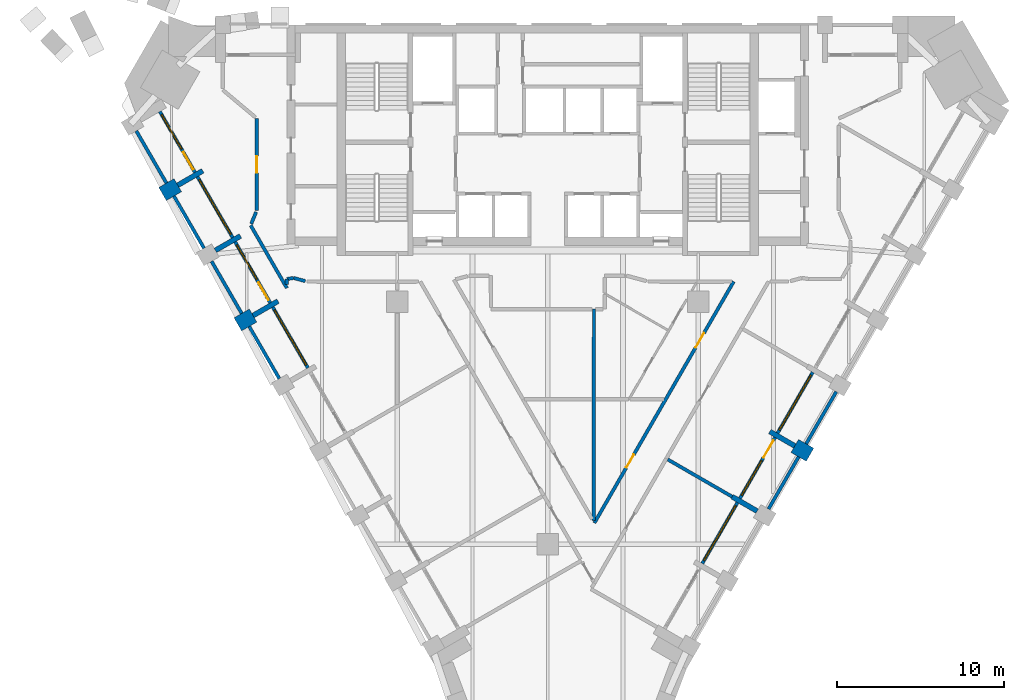
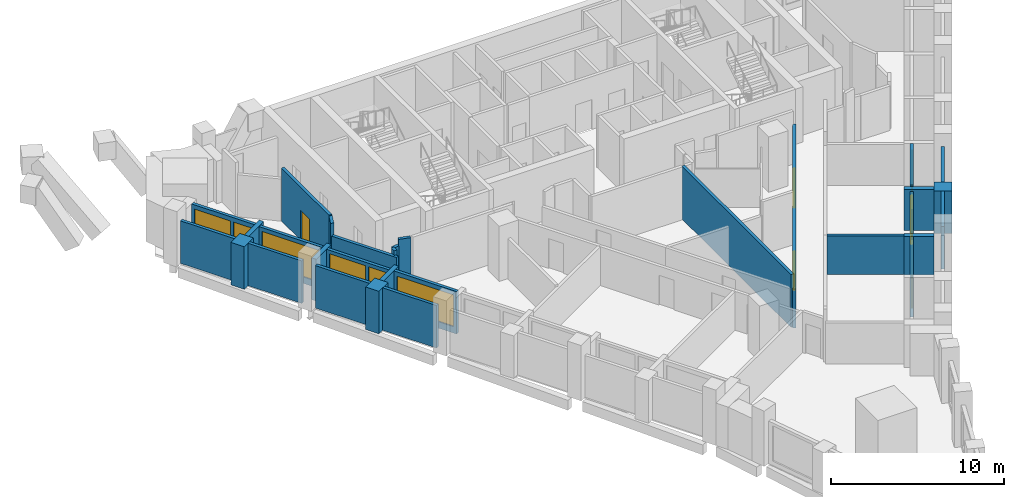
# One storey, part 4 of 10: 30 walls, 7 windows, 6 doors, 13 openings.
"""IFC4 building model written with IfcOpenShell, lengths in metres."""

from ifc_helpers import new_model, si_unit, direction, frame, frame_2d, origin, place, context, subcontext, project, spatial, rectangle, extrude, material, layer, layer_set, type_object, element, fill, save


model = new_model("IFC4")

# Units and contexts
model_context = context("Model", 3, precision=1e-05, world=origin(), true_north=direction((0.0, 1.0)))
body_context = subcontext(model_context, "Body", "Model", "MODEL_VIEW")
ifc_project = project(units=[si_unit("LENGTHUNIT", "METRE"), si_unit("AREAUNIT", "SQUARE_METRE"), si_unit("VOLUMEUNIT", "CUBIC_METRE"), si_unit("PLANEANGLEUNIT", "RADIAN"), si_unit("MASSUNIT", "GRAM", prefix="KILO")], contexts=[model_context])

# Site, building, storey
site_placement = place(None, origin())
site = spatial("IfcSite", under=ifc_project, at=site_placement, CompositionType="ELEMENT")
building_placement = place(site_placement, origin())
building = spatial("IfcBuilding", under=site, at=building_placement, Name="Calabash Gate Tower", CompositionType="ELEMENT")
storey_placement = place(building_placement, frame((0.0, 0.0, 187.5)))
storey = spatial("IfcBuildingStorey", under=building, at=storey_placement, Name="L44", CompositionType="ELEMENT", Elevation=187.5)

# Walls
ifc_material_1 = material(Name="Terracotta brick masonry, exposed face", Category="masonry")
ifc_layer_1 = layer(ifc_material_1, 1.050048828125)
ifc_layer_set_1 = layer_set([ifc_layer_1], Name="Brick end wall 1050")
wall_type_1 = type_object("IfcWallType", Name="Brick end wall 1050", PredefinedType="SOLIDWALL", material=ifc_layer_set_1)
for number, where, z_axis, x_axis, name in (
    (1, (-23.03271484375, 8.93505859375, 0.0), (0.0, 0.0, 1.0), (0.866088799389, 0.499890179513, 0.0), "Brick pier S12 SW0.1"),
    (2, (-17.623291015625, 1.665771484375, 0.0), (0.0, 0.0, 1.0), (-0.866088799389, -0.499890179513, 0.0), "Brick pier S12 SW0.3"),
):
    element("IfcWall", number, at=place(storey_placement, frame(where, z_axis=z_axis, x_axis=x_axis)), inside=storey, type_object=wall_type_1, Name=name, PredefinedType="SOLIDWALL", context=body_context, shape_type="SweptSolid", body=[
        extrude(rectangle(XDim=1.050048828125, YDim=0.89990234375, at=frame_2d((0.52490234375, 0.0))), origin(), (0.0, 0.0, 1.0), 3.0),
    ])
wall_1_placement = place(storey_placement, frame((15.67626953125, -6.6533203125, 0.0), z_axis=(0.0, 0.0, 1.0), x_axis=(-0.866030680601, 0.499990860175, 0.0)))
element("IfcWall", 3, at=wall_1_placement, inside=storey, type_object=wall_type_1, Name="Brick pier S12 SE4.3", PredefinedType="SOLIDWALL", context=body_context, shape_type="SweptSolid", body=[
    extrude(rectangle(XDim=1.0498046875, YDim=0.89990234375, at=frame_2d((0.52490234375, 0.0))), origin(), (0.0, 0.0, 1.0), 3.0),
])
ifc_material_2 = material(Name="Terracotta brick masonry, exposed face", Category="masonry")
ifc_layer_2 = layer(ifc_material_2, 0.300048828125)
ifc_layer_set_2 = layer_set([ifc_layer_2], Name="Brick loggia cheek wall 300")
wall_type_2 = type_object("IfcWallType", Name="Brick loggia cheek wall 300", PredefinedType="SOLIDWALL", material=ifc_layer_set_2)
wall_2_placement = place(storey_placement, frame((-22.123291015625, 9.4599609375, 0.0), z_axis=(0.0, 0.0, 1.0), x_axis=(0.866013532718, 0.500020560727, 0.0)))
element("IfcWall", 4, at=wall_2_placement, inside=storey, type_object=wall_type_2, Name="Loggia cheek S12 SW0.1", PredefinedType="SOLIDWALL", context=body_context, shape_type="SweptSolid", body=[
    extrude(rectangle(XDim=1.72509765625, YDim=0.300048828125, at=frame_2d((0.862548828125, 0.0))), origin(), (0.0, 0.0, 1.0), 3.0),
])
wall_3_placement = place(storey_placement, frame((-19.873291015625, 5.56298828125, 0.0), z_axis=(0.0, 0.0, 1.0), x_axis=(0.866013532718, 0.500020560727, 0.0)))
element("IfcWall", 5, at=wall_3_placement, inside=storey, type_object=wall_type_2, Name="Loggia cheek S12 SW0.2", PredefinedType="SOLIDWALL", context=body_context, shape_type="SweptSolid", body=[
    extrude(rectangle(XDim=1.72509765625, YDim=0.300048828125, at=frame_2d((0.862548828125, 0.0))), origin(), (0.0, 0.0, 1.0), 2.9501953125),
])
wall_4_placement = place(storey_placement, frame((-17.623291015625, 1.665771484375, 0.0), z_axis=(0.0, 0.0, 1.0), x_axis=(0.866013532718, 0.500020560727, 0.0)))
element("IfcWall", 6, at=wall_4_placement, inside=storey, type_object=wall_type_2, Name="Loggia cheek S12 SW0.3", PredefinedType="SOLIDWALL", context=body_context, shape_type="SweptSolid", body=[
    extrude(rectangle(XDim=1.72509765625, YDim=0.300048828125, at=frame_2d((0.862548828125, 0.0))), origin(), (0.0, 0.0, 1.0), 3.0),
])
wall_5_placement = place(storey_placement, frame((12.51708984375, -10.025634765625, 0.0), z_axis=(0.0, 0.0, 1.0), x_axis=(-0.866013532718, 0.500020560727, 0.0)))
element("IfcWall", 7, at=wall_5_placement, inside=storey, type_object=wall_type_2, Name="Loggia cheek S12 SE4.2", PredefinedType="SOLIDWALL", context=body_context, shape_type="SweptSolid", body=[
    extrude(rectangle(XDim=1.72509765625, YDim=0.300048828125, at=frame_2d((0.862548828125, 0.0))), origin(), (0.0, 0.0, 1.0), 2.74169921875),
])
wall_6_placement = place(storey_placement, frame((14.76708984375, -6.12841796875, 0.0), z_axis=(0.0, 0.0, 1.0), x_axis=(-0.866013532718, 0.500020560727, 0.0)))
element("IfcWall", 8, at=wall_6_placement, inside=storey, type_object=wall_type_2, Name="Loggia cheek S12 SE4.3", PredefinedType="SOLIDWALL", context=body_context, shape_type="SweptSolid", body=[
    extrude(rectangle(XDim=1.72509765625, YDim=0.300048828125, at=frame_2d((0.862548828125, 0.0))), origin(), (0.0, 0.0, 1.0), 2.884033203125),
])

# Wall, openings, doors
ifc_material_3 = material(Name="Gypsum board on steel studs, mineral wool", Category="steel")
ifc_layer_3 = layer(ifc_material_3, 0.199951171875)
ifc_layer_set_3 = layer_set([ifc_layer_3], Name="Partition 200 gypsum board EI 60")
wall_type_3 = type_object("IfcWallType", Name="Partition 200 gypsum board EI 60", PredefinedType="PARTITIONING", material=ifc_layer_set_3)
wall_7_placement = place(storey_placement, frame((2.784912109375, -10.731689453125, 0.0), z_axis=(0.0, 0.0, 1.0), x_axis=(0.499820110187, 0.866129238309, 0.0)))
wall_7 = element("IfcWall", 9, at=wall_7_placement, inside=storey, type_object=wall_type_3, Name="Partition", PredefinedType="PARTITIONING", context=body_context, shape_type="SweptSolid", body=[
    extrude(rectangle(XDim=16.664306640625, YDim=0.199951171875, at=frame_2d((8.33203125, 0.0))), origin(), (0.0, 0.0, 1.0), 2.74169921875),
])
opening_1_placement = place(wall_7_placement, frame((3.817626953125, 0.0, 0.0)))
opening_1 = element("IfcOpeningElement", 10, at=opening_1_placement, cuts=wall_7, Name="Opening 42-44-008", PredefinedType="OPENING", context=body_context, shape_type="SweptSolid", body=[
    extrude(rectangle(XDim=0.89990234375, YDim=2.10009765625, at=frame_2d((0.449951171875, 1.050048828125))), frame((0.0, 0.10986328125, 0.0), z_axis=(0.0, -1.0, 0.0), x_axis=(1.0, 0.0, 0.0)), (0.0, 0.0, 1.0), 0.219970703125),
])
opening_2_placement = place(wall_7_placement, frame((12.099853515625, 0.0, 0.0)))
opening_2 = element("IfcOpeningElement", 11, at=opening_2_placement, cuts=wall_7, Name="Opening 42-44-014", PredefinedType="OPENING", context=body_context, shape_type="SweptSolid", body=[
    extrude(rectangle(XDim=1.0, YDim=2.10009765625, at=frame_2d((0.5, 1.050048828125))), frame((0.0, 0.10986328125, 0.0), z_axis=(0.0, -1.0, 0.0), x_axis=(1.0, 0.0, 0.0)), (0.0, 0.0, 1.0), 0.219970703125),
])
ifc_material_4 = material(Name="Steel fire door set with fire-resisting glazing", Category="steel")
door_type_1 = type_object("IfcDoorType", Name="SD3 Store door 900x2100", OperationType="NOTDEFINED", PredefinedType="DOOR", material=ifc_material_4)
door_1_placement = place(opening_1_placement, origin())
door_1 = element("IfcDoor", 12, at=door_1_placement, inside=storey, type_object=door_type_1, Name="Store door", OperationType="SINGLE_SWING_LEFT", OverallHeight=2.10009765625, OverallWidth=0.89990234375, PredefinedType="DOOR", context=body_context, shape_type="SweptSolid", body=[
    extrude(rectangle(XDim=0.89990234375, YDim=2.10009765625, at=frame_2d((0.449951171875, 1.050048828125))), frame((0.0, 0.02490234375, 0.0), z_axis=(0.0, -1.0, 0.0), x_axis=(1.0, 0.0, 0.0)), (0.0, 0.0, 1.0), 0.050048828125),
])
fill(opening_1, door_1)
ifc_material_5 = material(Name="Steel fire door set with fire-resisting glazing", Category="steel")
door_type_2 = type_object("IfcDoorType", Name="WD3 WC lobby door 1000x2100", OperationType="NOTDEFINED", PredefinedType="DOOR", material=ifc_material_5)
door_2_placement = place(opening_2_placement, origin())
door_2 = element("IfcDoor", 13, at=door_2_placement, inside=storey, type_object=door_type_2, Name="WC lobby door", OperationType="SINGLE_SWING_RIGHT", OverallHeight=2.10009765625, OverallWidth=1.0, PredefinedType="DOOR", context=body_context, shape_type="SweptSolid", body=[
    extrude(rectangle(XDim=1.0, YDim=2.10009765625, at=frame_2d((0.5, 1.050048828125))), frame((0.0, 0.02490234375, 0.0), z_axis=(0.0, -1.0, 0.0), x_axis=(1.0, 0.0, 0.0)), (0.0, 0.0, 1.0), 0.050048828125),
])
fill(opening_2, door_2)

# Walls
wall_8_placement = place(storey_placement, frame((7.17041015625, -6.936279296875, 0.0), z_axis=(0.0, 0.0, 1.0), x_axis=(0.865815424907, -0.500363517848, 0.0)))
element("IfcWall", 14, at=wall_8_placement, inside=storey, type_object=wall_type_3, Name="Partition", PredefinedType="PARTITIONING", context=body_context, shape_type="SweptSolid", body=[
    extrude(rectangle(XDim=4.449951171875, YDim=0.199951171875, at=frame_2d((2.22509765625, 0.0))), origin(), (0.0, 0.0, 1.0), 2.74169921875),
])
wall_9_placement = place(storey_placement, frame((2.75439453125, -10.58447265625, 0.0), z_axis=(0.0, 0.0, 1.0), x_axis=(0.00025119316, 0.999999968451, 0.0)))
element("IfcWall", 15, at=wall_9_placement, inside=storey, type_object=wall_type_3, Name="Partition", PredefinedType="PARTITIONING", context=body_context, shape_type="SweptSolid", body=[
    extrude(rectangle(XDim=12.635009765625, YDim=0.199951171875, at=frame_2d((6.3173828125, 0.0))), origin(), (0.0, 0.0, 1.0), 3.72998046875),
])
wall_10_placement = place(storey_placement, frame((-17.7666015625, 7.06298828125, 0.0), z_axis=(0.0, 0.0, 1.0), x_axis=(0.500011878817, -0.866018545437, 0.0)))
element("IfcWall", 16, at=wall_10_placement, inside=storey, type_object=wall_type_3, Name="Partition", PredefinedType="PARTITIONING", context=body_context, shape_type="SweptSolid", body=[
    extrude(rectangle(XDim=4.33251953125, YDim=0.199951171875, at=frame_2d((2.166259765625, 0.0))), origin(), (0.0, 0.0, 1.0), 2.9501953125),
])
wall_11_placement = place(storey_placement, frame((-15.193359375, 3.91455078125, 0.0), z_axis=(0.0, 0.0, 1.0), x_axis=(0.965137431954, -0.26174364833, 0.0)))
element("IfcWall", 17, at=wall_11_placement, inside=storey, type_object=wall_type_3, Name="Partition", PredefinedType="PARTITIONING", context=body_context, shape_type="SweptSolid", body=[
    extrude(rectangle(XDim=0.721923828125, YDim=0.199951171875, at=frame_2d((0.36083984375, 0.0))), origin(), (0.0, 0.0, 1.0), 3.72998046875),
])
wall_12_placement = place(storey_placement, frame((-15.60009765625, 3.510498046875, 0.0), z_axis=(0.0, 0.0, 1.0), x_axis=(0.001429591105, 0.999998978134, 0.0)))
element("IfcWall", 18, at=wall_12_placement, inside=storey, type_object=wall_type_3, Name="Partition", PredefinedType="PARTITIONING", context=body_context, shape_type="SweptSolid", body=[
    extrude(rectangle(XDim=0.341552734375, YDim=0.199951171875, at=frame_2d((0.1708984375, 0.0))), origin(), (0.0, 0.0, 1.0), 3.2822265625),
])
wall_13_placement = place(storey_placement, frame((-15.599609375, 3.85205078125, 0.0), z_axis=(0.0, 0.0, 1.0), x_axis=(0.988371697651, 0.152057184254, 0.0)))
element("IfcWall", 19, at=wall_13_placement, inside=storey, type_object=wall_type_3, Name="Partition", PredefinedType="PARTITIONING", context=body_context, shape_type="SweptSolid", body=[
    extrude(rectangle(XDim=0.4111328125, YDim=0.199951171875, at=frame_2d((0.20556640625, 0.0))), origin(), (0.0, 0.0, 1.0), 3.2822265625),
])
wall_14_placement = place(storey_placement, frame((-17.728515625, 7.155517578125, 0.0), z_axis=(0.0, 0.0, 1.0), x_axis=(0.380379071784, 0.924830666527, 0.0)))
element("IfcWall", 20, at=wall_14_placement, inside=storey, type_object=wall_type_3, Name="Partition", PredefinedType="PARTITIONING", context=body_context, shape_type="SweptSolid", body=[
    extrude(rectangle(XDim=0.761962890625, YDim=0.199951171875, at=frame_2d((0.380859375, 0.0))), origin(), (0.0, 0.0, 1.0), 3.72998046875),
])

# Wall, opening, door
wall_15_placement = place(storey_placement, frame((-17.400390625, 7.95263671875, 0.0), z_axis=(0.0, 0.0, 1.0), x_axis=(0.0, 1.0, 0.0)))
wall_15 = element("IfcWall", 21, at=wall_15_placement, inside=storey, type_object=wall_type_3, Name="Partition", PredefinedType="PARTITIONING", context=body_context, shape_type="SweptSolid", body=[
    extrude(rectangle(XDim=5.499755859375, YDim=0.199951171875, at=frame_2d((2.75, 0.0))), origin(), (0.0, 0.0, 1.0), 3.72998046875),
])
opening_3_placement = place(wall_15_placement, frame((2.249755859375, 0.0, 0.0)))
opening_3 = element("IfcOpeningElement", 22, at=opening_3_placement, cuts=wall_15, Name="Opening 42-44-013", PredefinedType="OPENING", context=body_context, shape_type="SweptSolid", body=[
    extrude(rectangle(XDim=1.0, YDim=2.10009765625, at=frame_2d((0.5, 1.050048828125))), frame((0.0, 0.10986328125, 0.0), z_axis=(0.0, -1.0, 0.0), x_axis=(1.0, 0.0, 0.0)), (0.0, 0.0, 1.0), 0.219970703125),
])
ifc_material_6 = material(Name="Steel fire door set with fire-resisting glazing", Category="steel")
door_type_3 = type_object("IfcDoorType", Name="LD2 Meeting room door 1000x2100", OperationType="NOTDEFINED", PredefinedType="DOOR", material=ifc_material_6)
door_3_placement = place(opening_3_placement, origin())
door_3 = element("IfcDoor", 23, at=door_3_placement, inside=storey, type_object=door_type_3, Name="Meeting room door", OperationType="SINGLE_SWING_RIGHT", OverallHeight=2.10009765625, OverallWidth=1.0, PredefinedType="DOOR", context=body_context, shape_type="SweptSolid", body=[
    extrude(rectangle(XDim=1.0, YDim=2.10009765625, at=frame_2d((0.5, 1.050048828125))), frame((0.0, 0.02490234375, 0.0), z_axis=(0.0, -1.0, 0.0), x_axis=(1.0, 0.0, 0.0)), (0.0, 0.0, 1.0), 0.050048828125),
])
fill(opening_3, door_3)

# Walls
ifc_material_7 = material(Name="Terracotta brick masonry, perforated", Category="masonry")
ifc_layer_4 = layer(ifc_material_7, 0.199951171875)
ifc_layer_set_4 = layer_set([ifc_layer_4], Name="Terracotta jaali screen B")
wall_type_4 = type_object("IfcWallType", Name="Terracotta jaali screen B", PredefinedType="SOLIDWALL", material=ifc_layer_set_4)
wall_16_placement = place(storey_placement, frame((-24.60302734375, 12.705078125, 0.0), z_axis=(0.0, 0.0, 1.0), x_axis=(0.499982693035, -0.866035395735, 0.0)))
element("IfcWall", 24, at=wall_16_placement, inside=storey, type_object=wall_type_4, Name="SCREEN B S12 SW0.1", PredefinedType="SOLIDWALL", context=body_context, shape_type="SweptSolid", body=[
    extrude(rectangle(XDim=3.600341796875, YDim=0.199951171875, at=frame_2d((1.80029296875, 0.0))), origin(), (0.0, 0.0, 1.0), 3.0),
])
for number, where, z_axis, x_axis, name in (
    (25, (-22.35302734375, 8.807861328125, 0.0), (0.0, 0.0, 1.0), (0.500012057535, -0.866018442252, 0.0), "SCREEN B S12 SW0.2"),
    (26, (-20.10302734375, 4.91064453125, 0.0), (0.0, 0.0, 1.0), (0.500012057535, -0.866018442252, 0.0), "SCREEN B S12 SW0.3"),
    (27, (-17.85302734375, 1.013671875, 0.0), (0.0, 0.0, 1.0), (0.500012057535, -0.866018442252, 0.0), "SCREEN B S12 SW0.4"),
):
    element("IfcWall", number, at=place(storey_placement, frame(where, z_axis=z_axis, x_axis=x_axis)), inside=storey, type_object=wall_type_4, Name=name, PredefinedType="SOLIDWALL", context=body_context, shape_type="SweptSolid", body=[
        extrude(rectangle(XDim=3.60009765625, YDim=0.199951171875, at=frame_2d((1.800048828125, 0.0))), origin(), (0.0, 0.0, 1.0), 3.0),
    ])
for number, where, z_axis, x_axis, name in (
    (28, (13.19677734375, -9.898193359375, 0.0), (0.0, 0.0, 1.0), (0.499961193289, 0.866047807691, 0.0), "SCREEN B S12 SE4.3"),
    (29, (15.44677734375, -6.001220703125, 0.0), (0.0, 0.0, 1.0), (0.499961193289, 0.866047807691, 0.0), "SCREEN B S12 SE4.4"),
):
    element("IfcWall", number, at=place(storey_placement, frame(where, z_axis=z_axis, x_axis=x_axis)), inside=storey, type_object=wall_type_4, Name=name, PredefinedType="SOLIDWALL", context=body_context, shape_type="SweptSolid", body=[
        extrude(rectangle(XDim=3.599853515625, YDim=0.199951171875, at=frame_2d((1.7998046875, 0.0))), origin(), (0.0, 0.0, 1.0), 3.0),
    ])

# Wall, openings, door, window
ifc_material_8 = material(Name="Aluminium framed window wall with insulated spandrel", Category="aluminium")
ifc_layer_5 = layer(ifc_material_8, 0.199951171875)
ifc_layer_set_5 = layer_set([ifc_layer_5], Name="Window wall 200")
wall_type_5 = type_object("IfcWallType", Name="Window wall 200", PredefinedType="ELEMENTEDWALL", material=ifc_layer_set_5)
wall_17_placement = place(storey_placement, frame((-23.194091796875, 13.86474609375, 0.0), z_axis=(0.0, 0.0, 1.0), x_axis=(0.49998411664, -0.866034573852, 0.0)))
wall_17 = element("IfcWall", 30, at=wall_17_placement, inside=storey, type_object=wall_type_5, Name="Window wall S12 SW0.1", PredefinedType="ELEMENTEDWALL", context=body_context, shape_type="SweptSolid", body=[
    extrude(rectangle(XDim=4.199951171875, YDim=0.199951171875, at=frame_2d((2.10009765625, 0.0))), origin(), (0.0, 0.0, 1.0), 3.0),
])
opening_4_placement = place(wall_17_placement, frame((0.199951171875, 0.0, 0.449951171875)))
opening_4 = element("IfcOpeningElement", 31, at=opening_4_placement, cuts=wall_17, Name="Opening OW1", PredefinedType="OPENING", context=body_context, shape_type="SweptSolid", body=[
    extrude(rectangle(XDim=2.39990234375, YDim=2.25, at=frame_2d((1.199951171875, 1.125))), frame((0.0, 0.10986328125, 0.0), z_axis=(0.0, -1.0, 0.0), x_axis=(1.0, 0.0, 0.0)), (0.0, 0.0, 1.0), 0.219970703125),
])
opening_5_placement = place(wall_17_placement, frame((2.800048828125, 0.0, 0.0)))
opening_5 = element("IfcOpeningElement", 32, at=opening_5_placement, cuts=wall_17, Name="Opening O4-025", PredefinedType="OPENING", context=body_context, shape_type="SweptSolid", body=[
    extrude(rectangle(XDim=1.199951171875, YDim=2.699951171875, at=frame_2d((0.60009765625, 1.35009765625))), frame((0.0, 0.10986328125, 0.0), z_axis=(0.0, -1.0, 0.0), x_axis=(1.0, 0.0, 0.0)), (0.0, 0.0, 1.0), 0.219970703125),
])
ifc_material_9 = material(Name="Anodised aluminium frame, bronze finish, impact-rated laminated clear glazing", Category="aluminium")
door_type_4 = type_object("IfcDoorType", Name="Loggia door DO1 1200x2700", OperationType="SLIDING_TO_LEFT", PredefinedType="DOOR", material=ifc_material_9)
door_4_placement = place(opening_5_placement, origin())
door_4 = element("IfcDoor", 33, at=door_4_placement, inside=storey, type_object=door_type_4, Name="Loggia door S12 SW0.1", OperationType="SINGLE_SWING_LEFT", OverallHeight=2.699951171875, OverallWidth=1.199951171875, PredefinedType="DOOR", context=body_context, shape_type="SweptSolid", body=[
    extrude(rectangle(XDim=1.199951171875, YDim=2.699951171875, at=frame_2d((0.60009765625, 1.35009765625))), frame((0.0, 0.02490234375, 0.0), z_axis=(0.0, -1.0, 0.0), x_axis=(1.0, 0.0, 0.0)), (0.0, 0.0, 1.0), 0.050048828125),
])
fill(opening_5, door_4)
ifc_material_10 = material(Name="Anodised aluminium frame, bronze finish, impact-rated laminated clear glazing", Category="aluminium")
window_type_1 = type_object("IfcWindowType", Name="Window OW1 2400x2250", PartitioningType="DOUBLE_PANEL_VERTICAL", PredefinedType="WINDOW", material=ifc_material_10)
window_1_placement = place(opening_4_placement, origin())
window_1 = element("IfcWindow", 34, at=window_1_placement, inside=storey, type_object=window_type_1, Name="Window OW1 S12 SW0.1", OverallHeight=2.25, OverallWidth=2.39990234375, PartitioningType="SINGLE_PANEL", PredefinedType="WINDOW", context=body_context, shape_type="SweptSolid", body=[
    extrude(rectangle(XDim=2.39990234375, YDim=2.25, at=frame_2d((1.199951171875, 1.125))), frame((0.0, 0.030029296875, 0.0), z_axis=(0.0, -1.0, 0.0), x_axis=(1.0, 0.0, 0.0)), (0.0, 0.0, 1.0), 0.06005859375),
])
fill(opening_4, window_1)

# Wall, opening, window
wall_18_placement = place(storey_placement, frame((-20.944091796875, 9.9677734375, 0.0), z_axis=(0.0, 0.0, 1.0), x_axis=(0.499958946799, -0.866049104564, 0.0)))
wall_18 = element("IfcWall", 35, at=wall_18_placement, inside=storey, type_object=wall_type_5, Name="Window wall S12 SW0.2", PredefinedType="ELEMENTEDWALL", context=body_context, shape_type="SweptSolid", body=[
    extrude(rectangle(XDim=4.199951171875, YDim=0.199951171875, at=frame_2d((2.10009765625, 0.0))), origin(), (0.0, 0.0, 1.0), 2.9736328125),
])
opening_6_placement = place(wall_18_placement, frame((0.199951171875, 0.0, 0.449951171875)))
opening_6 = element("IfcOpeningElement", 36, at=opening_6_placement, cuts=wall_18, Name="Opening OW2", PredefinedType="OPENING", context=body_context, shape_type="SweptSolid", body=[
    extrude(rectangle(XDim=3.800048828125, YDim=2.25, at=frame_2d((1.89990234375, 1.125))), frame((0.0, 0.10986328125, 0.0), z_axis=(0.0, -1.0, 0.0), x_axis=(1.0, 0.0, 0.0)), (0.0, 0.0, 1.0), 0.219970703125),
])
ifc_material_11 = material(Name="Anodised aluminium frame, bronze finish, impact-rated laminated clear glazing", Category="aluminium")
window_type_2 = type_object("IfcWindowType", Name="Window OW2 3800x2250", PartitioningType="TRIPLE_PANEL_VERTICAL", PredefinedType="WINDOW", material=ifc_material_11)
window_2_placement = place(opening_6_placement, origin())
window_2 = element("IfcWindow", 37, at=window_2_placement, inside=storey, type_object=window_type_2, Name="Window OW2 S12 SW0.2", OverallHeight=2.25, OverallWidth=3.800048828125, PartitioningType="SINGLE_PANEL", PredefinedType="WINDOW", context=body_context, shape_type="SweptSolid", body=[
    extrude(rectangle(XDim=3.800048828125, YDim=2.25, at=frame_2d((1.89990234375, 1.125))), frame((0.0, 0.030029296875, 0.0), z_axis=(0.0, -1.0, 0.0), x_axis=(1.0, 0.0, 0.0)), (0.0, 0.0, 1.0), 0.06005859375),
])
fill(opening_6, window_2)

# Wall, openings, door, window
wall_19_placement = place(storey_placement, frame((-18.694091796875, 6.070556640625, 0.0), z_axis=(0.0, 0.0, 1.0), x_axis=(0.49998411664, -0.866034573852, 0.0)))
wall_19 = element("IfcWall", 38, at=wall_19_placement, inside=storey, type_object=wall_type_5, Name="Window wall S12 SW0.3", PredefinedType="ELEMENTEDWALL", context=body_context, shape_type="SweptSolid", body=[
    extrude(rectangle(XDim=4.199951171875, YDim=0.199951171875, at=frame_2d((2.10009765625, 0.0))), origin(), (0.0, 0.0, 1.0), 2.9501953125),
])
opening_7_placement = place(wall_19_placement, frame((0.199951171875, 0.0, 0.449951171875)))
opening_7 = element("IfcOpeningElement", 39, at=opening_7_placement, cuts=wall_19, Name="Opening OW1", PredefinedType="OPENING", context=body_context, shape_type="SweptSolid", body=[
    extrude(rectangle(XDim=2.39990234375, YDim=2.25, at=frame_2d((1.199951171875, 1.125))), frame((0.0, 0.10986328125, 0.0), z_axis=(0.0, -1.0, 0.0), x_axis=(1.0, 0.0, 0.0)), (0.0, 0.0, 1.0), 0.219970703125),
])
opening_8_placement = place(wall_19_placement, frame((2.800048828125, 0.0, 0.0)))
opening_8 = element("IfcOpeningElement", 40, at=opening_8_placement, cuts=wall_19, Name="Opening O4-026", PredefinedType="OPENING", context=body_context, shape_type="SweptSolid", body=[
    extrude(rectangle(XDim=1.199951171875, YDim=2.699951171875, at=frame_2d((0.60009765625, 1.35009765625))), frame((0.0, 0.10986328125, 0.0), z_axis=(0.0, -1.0, 0.0), x_axis=(1.0, 0.0, 0.0)), (0.0, 0.0, 1.0), 0.219970703125),
])
door_5_placement = place(opening_8_placement, origin())
door_5 = element("IfcDoor", 41, at=door_5_placement, inside=storey, type_object=door_type_4, Name="Loggia door S12 SW0.3", OperationType="SINGLE_SWING_LEFT", OverallHeight=2.699951171875, OverallWidth=1.199951171875, PredefinedType="DOOR", context=body_context, shape_type="SweptSolid", body=[
    extrude(rectangle(XDim=1.199951171875, YDim=2.699951171875, at=frame_2d((0.60009765625, 1.35009765625))), frame((0.0, 0.02490234375, 0.0), z_axis=(0.0, -1.0, 0.0), x_axis=(1.0, 0.0, 0.0)), (0.0, 0.0, 1.0), 0.050048828125),
])
fill(opening_8, door_5)
window_3_placement = place(opening_7_placement, origin())
window_3 = element("IfcWindow", 42, at=window_3_placement, inside=storey, type_object=window_type_1, Name="Window OW1 S12 SW0.3", OverallHeight=2.25, OverallWidth=2.39990234375, PartitioningType="SINGLE_PANEL", PredefinedType="WINDOW", context=body_context, shape_type="SweptSolid", body=[
    extrude(rectangle(XDim=2.39990234375, YDim=2.25, at=frame_2d((1.199951171875, 1.125))), frame((0.0, 0.030029296875, 0.0), z_axis=(0.0, -1.0, 0.0), x_axis=(1.0, 0.0, 0.0)), (0.0, 0.0, 1.0), 0.06005859375),
])
fill(opening_7, window_3)

# Wall, opening, window
wall_20_placement = place(storey_placement, frame((-16.444091796875, 2.17333984375, 0.0), z_axis=(0.0, 0.0, 1.0), x_axis=(0.49998411664, -0.866034573852, 0.0)))
wall_20 = element("IfcWall", 43, at=wall_20_placement, inside=storey, type_object=wall_type_5, Name="Window wall S12 SW0.4", PredefinedType="ELEMENTEDWALL", context=body_context, shape_type="SweptSolid", body=[
    extrude(rectangle(XDim=4.199951171875, YDim=0.199951171875, at=frame_2d((2.10009765625, 0.0))), origin(), (0.0, 0.0, 1.0), 3.0),
])
opening_9_placement = place(wall_20_placement, frame((0.199951171875, 0.0, 0.449951171875)))
opening_9 = element("IfcOpeningElement", 44, at=opening_9_placement, cuts=wall_20, Name="Opening OW2", PredefinedType="OPENING", context=body_context, shape_type="SweptSolid", body=[
    extrude(rectangle(XDim=3.800048828125, YDim=2.25, at=frame_2d((1.89990234375, 1.125))), frame((0.0, 0.10986328125, 0.0), z_axis=(0.0, -1.0, 0.0), x_axis=(1.0, 0.0, 0.0)), (0.0, 0.0, 1.0), 0.219970703125),
])
window_4_placement = place(opening_9_placement, origin())
window_4 = element("IfcWindow", 45, at=window_4_placement, inside=storey, type_object=window_type_2, Name="Window OW2 S12 SW0.4", OverallHeight=2.25, OverallWidth=3.800048828125, PartitioningType="SINGLE_PANEL", PredefinedType="WINDOW", context=body_context, shape_type="SweptSolid", body=[
    extrude(rectangle(XDim=3.800048828125, YDim=2.25, at=frame_2d((1.89990234375, 1.125))), frame((0.0, 0.030029296875, 0.0), z_axis=(0.0, -1.0, 0.0), x_axis=(1.0, 0.0, 0.0)), (0.0, 0.0, 1.0), 0.06005859375),
])
fill(opening_9, window_4)

wall_21_placement = place(storey_placement, frame((9.23779296875, -13.1552734375, 0.0), z_axis=(0.0, 0.0, 1.0), x_axis=(0.500002543286, 0.866023935413, 0.0)))
wall_21 = element("IfcWall", 46, at=wall_21_placement, inside=storey, type_object=wall_type_5, Name="Window wall S12 SE4.2", PredefinedType="ELEMENTEDWALL", context=body_context, shape_type="SweptSolid", body=[
    extrude(rectangle(XDim=4.2001953125, YDim=0.199951171875, at=frame_2d((2.10009765625, 0.0))), origin(), (0.0, 0.0, 1.0), 2.74169921875),
])
opening_10_placement = place(wall_21_placement, frame((0.199951171875, 0.0, 0.449951171875)))
opening_10 = element("IfcOpeningElement", 47, at=opening_10_placement, cuts=wall_21, Name="Opening OW2L-2190", PredefinedType="OPENING", context=body_context, shape_type="SweptSolid", body=[
    extrude(rectangle(XDim=3.800048828125, YDim=2.18994140625, at=frame_2d((1.89990234375, 1.094970703125))), frame((0.0, 0.10986328125, 0.0), z_axis=(0.0, -1.0, 0.0), x_axis=(1.0, 0.0, 0.0)), (0.0, 0.0, 1.0), 0.219970703125),
])
ifc_material_12 = material(Name="Anodised aluminium frame, bronze finish, impact-rated laminated clear glazing", Category="aluminium")
window_type_3 = type_object("IfcWindowType", Name="Window OW2L 3800x2190", PartitioningType="TRIPLE_PANEL_VERTICAL", PredefinedType="WINDOW", material=ifc_material_12)
window_5_placement = place(opening_10_placement, origin())
window_5 = element("IfcWindow", 48, at=window_5_placement, inside=storey, type_object=window_type_3, Name="Window OW2 S12 SE4.2", OverallHeight=2.18994140625, OverallWidth=3.800048828125, PartitioningType="SINGLE_PANEL", PredefinedType="WINDOW", context=body_context, shape_type="SweptSolid", body=[
    extrude(rectangle(XDim=3.800048828125, YDim=2.18994140625, at=frame_2d((1.89990234375, 1.094970703125))), frame((0.0, 0.030029296875, 0.0), z_axis=(0.0, -1.0, 0.0), x_axis=(1.0, 0.0, 0.0)), (0.0, 0.0, 1.0), 0.06005859375),
])
fill(opening_10, window_5)

# Wall, openings, door, window
wall_22_placement = place(storey_placement, frame((11.48779296875, -9.258056640625, 0.0), z_axis=(0.0, 0.0, 1.0), x_axis=(0.500027713859, 0.866009402589, 0.0)))
wall_22 = element("IfcWall", 49, at=wall_22_placement, inside=storey, type_object=wall_type_5, Name="Window wall S12 SE4.3", PredefinedType="ELEMENTEDWALL", context=body_context, shape_type="SweptSolid", body=[
    extrude(rectangle(XDim=4.199951171875, YDim=0.199951171875, at=frame_2d((2.10009765625, 0.0))), origin(), (0.0, 0.0, 1.0), 2.74169921875),
])
opening_11_placement = place(wall_22_placement, frame((0.199951171875, 0.0, 0.449951171875)))
opening_11 = element("IfcOpeningElement", 50, at=opening_11_placement, cuts=wall_22, Name="Opening OW1L-2190", PredefinedType="OPENING", context=body_context, shape_type="SweptSolid", body=[
    extrude(rectangle(XDim=2.39990234375, YDim=2.18994140625, at=frame_2d((1.199951171875, 1.094970703125))), frame((0.0, 0.10986328125, 0.0), z_axis=(0.0, -1.0, 0.0), x_axis=(1.0, 0.0, 0.0)), (0.0, 0.0, 1.0), 0.219970703125),
])
opening_12_placement = place(wall_22_placement, frame((2.800048828125, 0.0, 0.0)))
opening_12 = element("IfcOpeningElement", 51, at=opening_12_placement, cuts=wall_22, Name="Opening O4-022", PredefinedType="OPENING", context=body_context, shape_type="SweptSolid", body=[
    extrude(rectangle(XDim=1.199951171875, YDim=2.639892578125, at=frame_2d((0.60009765625, 1.31982421875))), frame((0.0, 0.10986328125, 0.0), z_axis=(0.0, -1.0, 0.0), x_axis=(1.0, 0.0, 0.0)), (0.0, 0.0, 1.0), 0.219970703125),
])
ifc_material_13 = material(Name="Anodised aluminium frame, bronze finish, impact-rated laminated clear glazing", Category="aluminium")
door_type_5 = type_object("IfcDoorType", Name="Loggia door DO1L-2640 1200x2640", OperationType="SLIDING_TO_LEFT", PredefinedType="DOOR", material=ifc_material_13)
door_6_placement = place(opening_12_placement, origin())
door_6 = element("IfcDoor", 52, at=door_6_placement, inside=storey, type_object=door_type_5, Name="Loggia door S12 SE4.3", OperationType="SINGLE_SWING_LEFT", OverallHeight=2.639892578125, OverallWidth=1.199951171875, PredefinedType="DOOR", context=body_context, shape_type="SweptSolid", body=[
    extrude(rectangle(XDim=1.199951171875, YDim=2.639892578125, at=frame_2d((0.60009765625, 1.31982421875))), frame((0.0, 0.02490234375, 0.0), z_axis=(0.0, -1.0, 0.0), x_axis=(1.0, 0.0, 0.0)), (0.0, 0.0, 1.0), 0.050048828125),
])
fill(opening_12, door_6)
ifc_material_14 = material(Name="Anodised aluminium frame, bronze finish, impact-rated laminated clear glazing", Category="aluminium")
window_type_4 = type_object("IfcWindowType", Name="Window OW1L 2400x2190", PartitioningType="DOUBLE_PANEL_VERTICAL", PredefinedType="WINDOW", material=ifc_material_14)
window_6_placement = place(opening_11_placement, origin())
window_6 = element("IfcWindow", 53, at=window_6_placement, inside=storey, type_object=window_type_4, Name="Window OW1 S12 SE4.3", OverallHeight=2.18994140625, OverallWidth=2.39990234375, PartitioningType="SINGLE_PANEL", PredefinedType="WINDOW", context=body_context, shape_type="SweptSolid", body=[
    extrude(rectangle(XDim=2.39990234375, YDim=2.18994140625, at=frame_2d((1.199951171875, 1.094970703125))), frame((0.0, 0.030029296875, 0.0), z_axis=(0.0, -1.0, 0.0), x_axis=(1.0, 0.0, 0.0)), (0.0, 0.0, 1.0), 0.06005859375),
])
fill(opening_11, window_6)

# Wall, opening, window
wall_23_placement = place(storey_placement, frame((13.73779296875, -5.361083984375, 0.0), z_axis=(0.0, 0.0, 1.0), x_axis=(0.500002543286, 0.866023935413, 0.0)))
wall_23 = element("IfcWall", 54, at=wall_23_placement, inside=storey, type_object=wall_type_5, Name="Window wall S12 SE4.4", PredefinedType="ELEMENTEDWALL", context=body_context, shape_type="SweptSolid", body=[
    extrude(rectangle(XDim=4.2001953125, YDim=0.199951171875, at=frame_2d((2.10009765625, 0.0))), origin(), (0.0, 0.0, 1.0), 3.0),
])
opening_13_placement = place(wall_23_placement, frame((0.199951171875, 0.0, 0.449951171875)))
opening_13 = element("IfcOpeningElement", 55, at=opening_13_placement, cuts=wall_23, Name="Opening OW2", PredefinedType="OPENING", context=body_context, shape_type="SweptSolid", body=[
    extrude(rectangle(XDim=3.800048828125, YDim=2.25, at=frame_2d((1.89990234375, 1.125))), frame((0.0, 0.10986328125, 0.0), z_axis=(0.0, -1.0, 0.0), x_axis=(1.0, 0.0, 0.0)), (0.0, 0.0, 1.0), 0.219970703125),
])
window_7_placement = place(opening_13_placement, origin())
window_7 = element("IfcWindow", 56, at=window_7_placement, inside=storey, type_object=window_type_2, Name="Window OW2 S12 SE4.4", OverallHeight=2.25, OverallWidth=3.800048828125, PartitioningType="SINGLE_PANEL", PredefinedType="WINDOW", context=body_context, shape_type="SweptSolid", body=[
    extrude(rectangle(XDim=3.800048828125, YDim=2.25, at=frame_2d((1.89990234375, 1.125))), frame((0.0, 0.030029296875, 0.0), z_axis=(0.0, -1.0, 0.0), x_axis=(1.0, 0.0, 0.0)), (0.0, 0.0, 1.0), 0.06005859375),
])
fill(opening_13, window_7)

save(model, "model.ifc")
